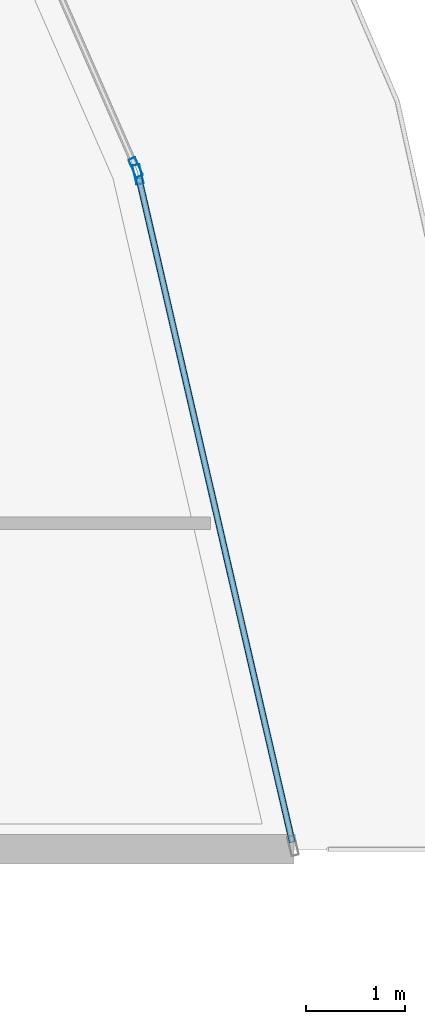
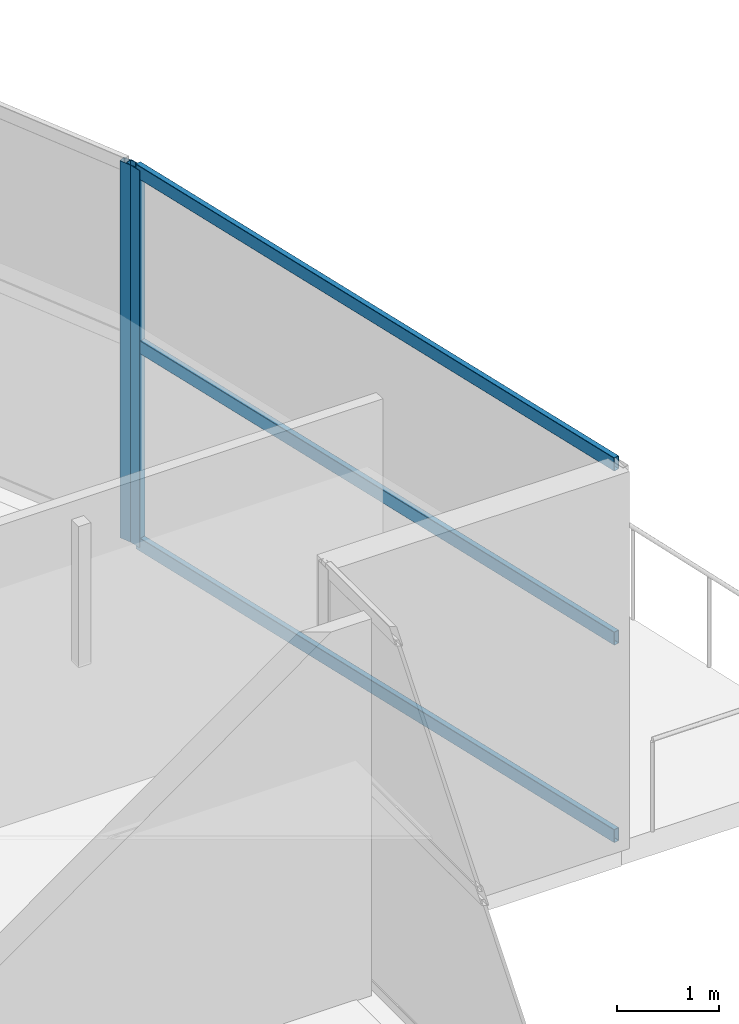
# One storey, part 23 of 42: 5 members, 2 elements without a shape of their own.
"""IFC4 building model written with IfcOpenShell, lengths in metres."""

from ifc_helpers import new_model, si_unit, direction, frame, origin, origin_2d, place, context, subcontext, project, spatial, hollow_rectangle, extrude, material, layer, layer_set, material_profile, profile_set, type_object, element, aggregate, save


model = new_model("IFC4")

# Units and contexts
model_context = context("Model", 3, precision=1e-05, world=origin(), true_north=direction((0.0, 1.0)))
body_context = subcontext(model_context, "Body", "Model", "MODEL_VIEW")
ifc_project = project(units=[si_unit("LENGTHUNIT", "METRE"), si_unit("AREAUNIT", "SQUARE_METRE"), si_unit("VOLUMEUNIT", "CUBIC_METRE"), si_unit("PLANEANGLEUNIT", "RADIAN"), si_unit("MASSUNIT", "GRAM", prefix="KILO")], contexts=[model_context])

# Site, building, storey
site_placement = place(None, origin())
site = spatial("IfcSite", under=ifc_project, at=site_placement, CompositionType="ELEMENT")
building_placement = place(site_placement, origin())
building = spatial("IfcBuilding", under=site, at=building_placement, Name="Qorvath Tower", CompositionType="ELEMENT")
storey_placement = place(building_placement, frame((0.0, 0.0, 105.0)))
storey = spatial("IfcBuildingStorey", under=building, at=storey_placement, Name="L23", CompositionType="ELEMENT", Elevation=105.0)

# Curtain wall, member
ifc_material_1 = material(Name="Anodised aluminium and triple low-E glass", Category="aluminium")
ifc_layer = layer(ifc_material_1, 0.179931640625)
ifc_layer_set = layer_set([ifc_layer], Name="CW-SYS-5")
curtain_wall_type = type_object("IfcCurtainWallType", Name="CW-SYS-5", PredefinedType="NOTDEFINED", material=ifc_layer_set)
curtain_wall_1_placement = place(storey_placement, origin())
curtain_wall_1 = element("IfcCurtainWall", 1, at=curtain_wall_1_placement, inside=storey, type_object=curtain_wall_type, Name="Curtain Wall CW-5 CW-T-L23-11.1", PredefinedType="NOTDEFINED")
ifc_material_2 = material(Name="Anodised aluminium 6063-T6", Category="aluminium")
ifc_material_profile_1 = material_profile(ifc_material_2, hollow_rectangle(XDim=0.074951171875, YDim=0.199951171875, WallThickness=0.00390625, InnerFilletRadius=0.00390625, OuterFilletRadius=0.008056640625, at=origin_2d()), Name="CWM 200x75")
ifc_profile_set_1 = profile_set([ifc_material_profile_1], Name="Anodised aluminium 6063-T6")
member_type_1 = type_object("IfcMemberType", Name="CWM-200", PredefinedType="MULLION", material=ifc_profile_set_1)
member_1_placement = place(storey_placement, frame((3.705322265625, 11.87109375, 0.0), z_axis=(0.0, 0.0, 1.0), x_axis=(-0.974339173469, -0.225084817443, 0.0)))
member_1 = element("IfcMember", 2, at=member_1_placement, type_object=member_type_1, Name="CW-5 mullion 2", PredefinedType="MULLION", context=body_context, shape_type="SweptSolid", body=[
    extrude(hollow_rectangle(XDim=0.074951171875, YDim=0.199951171875, WallThickness=0.00390625, InnerFilletRadius=0.00390625, OuterFilletRadius=0.008056640625, at=origin_2d()), origin(), (0.0, 0.0, 1.0), 4.52001953125),
])

curtain_wall_2_placement = place(storey_placement, origin())
curtain_wall_2 = element("IfcCurtainWall", 3, at=curtain_wall_2_placement, inside=storey, type_object=curtain_wall_type, Name="Curtain Wall CW-5 CW-T-L23-12.1", PredefinedType="NOTDEFINED")
member_2_placement = place(storey_placement, frame((3.681640625, 11.942138671875, 0.0), z_axis=(0.0, 0.0, 1.0), x_axis=(-0.91585067731, -0.401519036748, 0.0)))
member_2 = element("IfcMember", 4, at=member_2_placement, type_object=member_type_1, Name="CW-5 mullion 1", PredefinedType="MULLION", context=body_context, shape_type="SweptSolid", body=[
    extrude(hollow_rectangle(XDim=0.074951171875, YDim=0.199951171875, WallThickness=0.00390625, InnerFilletRadius=0.00390625, OuterFilletRadius=0.008056640625, at=origin_2d()), origin(), (0.0, 0.0, 1.0), 4.52001953125),
])
aggregate(curtain_wall_2, [member_2])

# Member
ifc_material_3 = material(Name="Anodised aluminium 6063-T6", Category="aluminium")
ifc_material_profile_2 = material_profile(ifc_material_3, hollow_rectangle(XDim=0.06494140625, YDim=0.159912109375, WallThickness=0.00341796875, InnerFilletRadius=0.00341796875, OuterFilletRadius=0.007080078125, at=origin_2d()), Name="CWT 160x65")
ifc_profile_set_2 = profile_set([ifc_material_profile_2], Name="Anodised aluminium 6063-T6")
member_type_2 = type_object("IfcMemberType", Name="CWT-160", PredefinedType="USERDEFINED", material=ifc_profile_set_2)
member_3_placement = place(storey_placement, frame((5.26318359375, 5.12744140625, 0.032470703125), z_axis=(-0.22509779442, 0.97433617553, 0.0), x_axis=(-0.97433617553, -0.22509779442, 0.0)))
member_3 = element("IfcMember", 5, at=member_3_placement, type_object=member_type_2, Name="CW-5 transom 1.1", ObjectType="TRANSOM", PredefinedType="USERDEFINED", context=body_context, shape_type="SweptSolid", body=[
    extrude(hollow_rectangle(XDim=0.06494140625, YDim=0.159912109375, WallThickness=0.00341796875, InnerFilletRadius=0.00341796875, OuterFilletRadius=0.007080078125, at=origin_2d()), origin(), (0.0, 0.0, 1.0), 6.884033203125),
])

member_4_placement = place(storey_placement, frame((5.26318359375, 5.12744140625, 2.39990234375), z_axis=(-0.22509779442, 0.97433617553, 0.0), x_axis=(-0.97433617553, -0.22509779442, 0.0)))
member_4 = element("IfcMember", 6, at=member_4_placement, type_object=member_type_2, Name="CW-5 transom 1.2", ObjectType="TRANSOM", PredefinedType="USERDEFINED", context=body_context, shape_type="SweptSolid", body=[
    extrude(hollow_rectangle(XDim=0.06494140625, YDim=0.159912109375, WallThickness=0.00341796875, InnerFilletRadius=0.00341796875, OuterFilletRadius=0.007080078125, at=origin_2d()), origin(), (0.0, 0.0, 1.0), 6.884033203125),
])

member_5_placement = place(storey_placement, frame((5.26318359375, 5.12744140625, 4.487548828125), z_axis=(-0.22509779442, 0.97433617553, 0.0), x_axis=(-0.97433617553, -0.22509779442, 0.0)))
member_5 = element("IfcMember", 7, at=member_5_placement, type_object=member_type_2, Name="CW-5 transom 1.3", ObjectType="TRANSOM", PredefinedType="USERDEFINED", context=body_context, shape_type="SweptSolid", body=[
    extrude(hollow_rectangle(XDim=0.06494140625, YDim=0.159912109375, WallThickness=0.00341796875, InnerFilletRadius=0.00341796875, OuterFilletRadius=0.007080078125, at=origin_2d()), origin(), (0.0, 0.0, 1.0), 6.884033203125),
])

aggregate(curtain_wall_1, [member_1, member_3, member_4, member_5])

save(model, "model.ifc")
